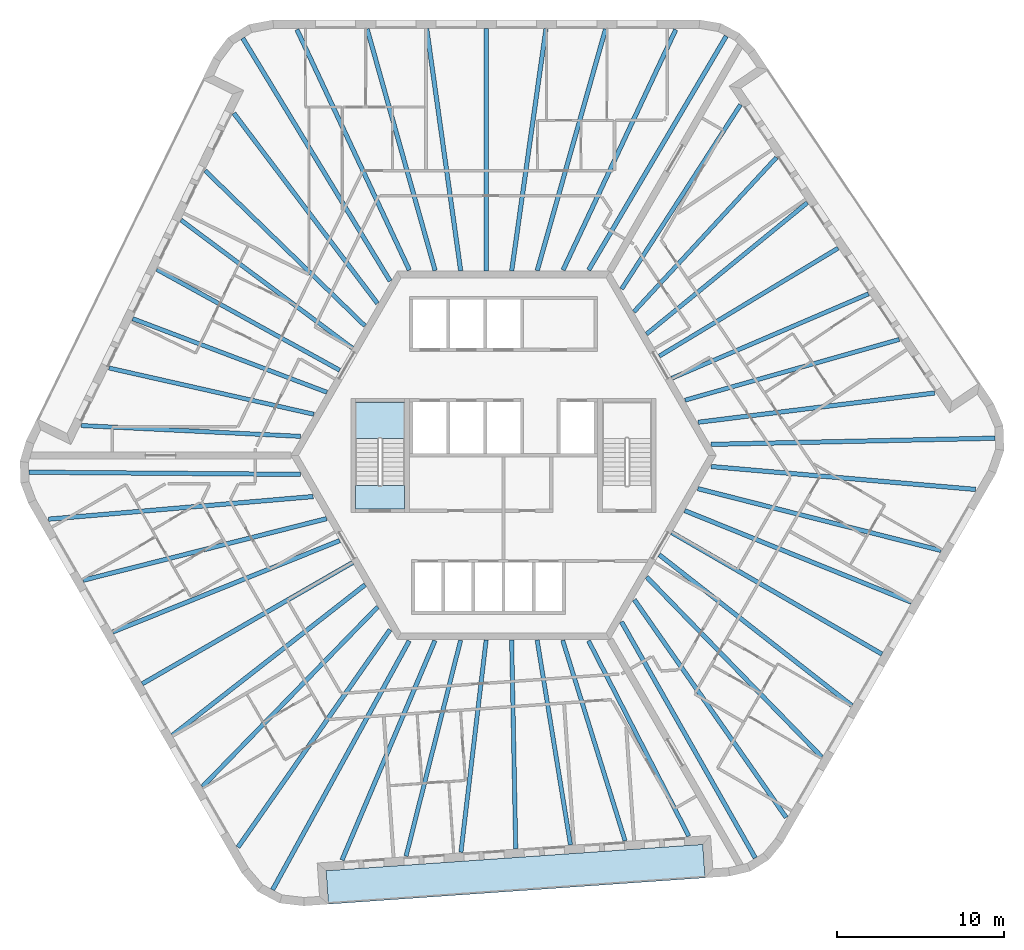
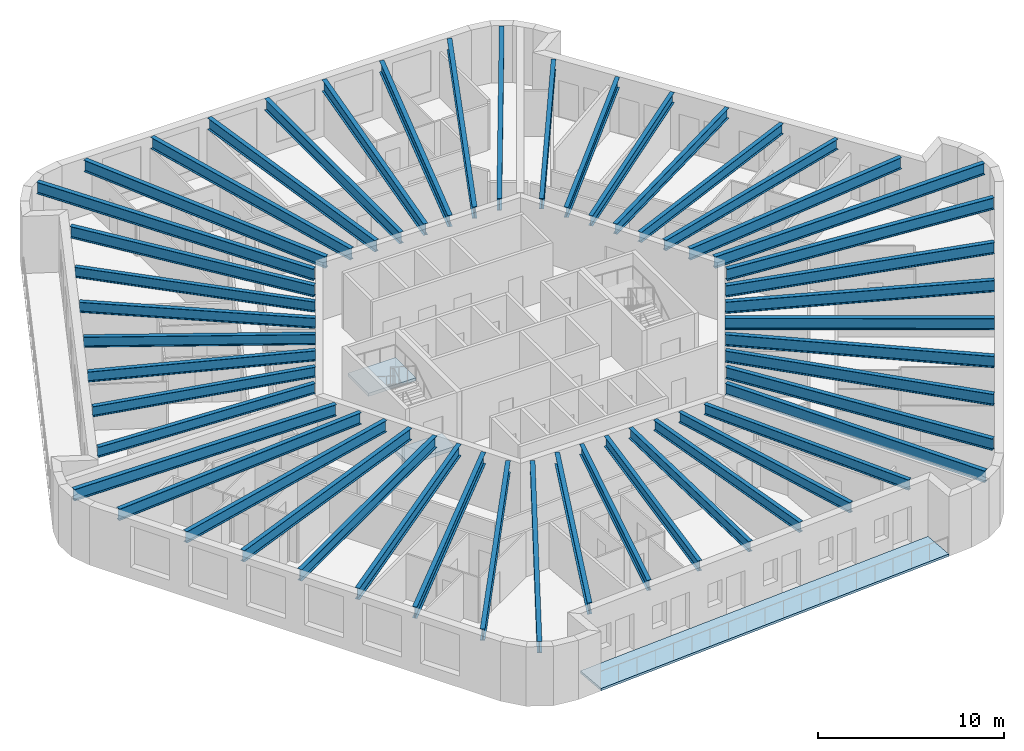
# One storey, part 1 of 12: 48 beams, 3 slabs, 1 element without a shape of its own.
"""IFC4 building model written with IfcOpenShell, lengths in metres."""

from ifc_helpers import new_model, si_unit, direction, frame, origin, origin_2d, place, context, subcontext, project, spatial, polyline, i_section, outline, extrude, material, layer, layer_set, material_profile, profile_set, type_object, element, aggregate, save


model = new_model("IFC4")

# Units and contexts
model_context = context("Model", 3, precision=1e-05, world=origin(), true_north=direction((0.0, 1.0)))
body_context = subcontext(model_context, "Body", "Model", "MODEL_VIEW")
ifc_project = project(units=[si_unit("LENGTHUNIT", "METRE"), si_unit("AREAUNIT", "SQUARE_METRE"), si_unit("VOLUMEUNIT", "CUBIC_METRE"), si_unit("PLANEANGLEUNIT", "RADIAN"), si_unit("MASSUNIT", "GRAM", prefix="KILO")], contexts=[model_context])

# Site, building, storey
site_placement = place(None, origin())
site = spatial("IfcSite", under=ifc_project, at=site_placement, CompositionType="ELEMENT")
building_placement = place(site_placement, origin())
building = spatial("IfcBuilding", under=site, at=building_placement, Name="Tarnside Tower", CompositionType="ELEMENT")
storey_placement = place(building_placement, frame((0.0, 0.0, 306.89990234375)))
storey = spatial("IfcBuildingStorey", under=building, at=storey_placement, Name="L74", CompositionType="ELEMENT", Elevation=306.89990234375)

# Beams
ifc_material_1 = material(Name="Steel S355", Category="steel")
ifc_material_profile_1 = material_profile(ifc_material_1, i_section(OverallWidth=0.2529296875, OverallDepth=0.677978515625, WebThickness=0.01171875, FlangeThickness=0.01611328125, FilletRadius=0.01513671875, at=origin_2d()), Name="UB 686x254x125")
ifc_profile_set_1 = profile_set([ifc_material_profile_1], Name="Steel S355")
beam_type_1 = type_object("IfcBeamType", Name="Floor beam UB 686x254x125", PredefinedType="BEAM", material=ifc_profile_set_1)
beam_1_placement = place(storey_placement, frame((-17.811279296875, 17.002197265625, 3.4111328125), z_axis=(0.717190986424, -0.696876666988, 0.0), x_axis=(0.696876666988, 0.717190986424, 0.0)))
element("IfcBeam", 1, at=beam_1_placement, inside=storey, type_object=beam_type_1, Name="Floor beam F2.02", PredefinedType="BEAM", context=body_context, shape_type="SweptSolid", body=[
    extrude(i_section(OverallWidth=0.2529296875, OverallDepth=0.677978515625, WebThickness=0.01171875, FlangeThickness=0.01611328125, FilletRadius=0.01513671875, at=origin_2d()), origin(), (0.0, 0.0, 1.0), 13.2919921875),
])
beam_2_placement = place(storey_placement, frame((-19.25, 14.0498046875, 3.4111328125), z_axis=(0.801006417676, -0.598655759883, 0.0), x_axis=(0.598655759883, 0.801006417676, 0.0)))
element("IfcBeam", 2, at=beam_2_placement, inside=storey, type_object=beam_type_1, Name="Floor beam F2.03", PredefinedType="BEAM", context=body_context, shape_type="SweptSolid", body=[
    extrude(i_section(OverallWidth=0.2529296875, OverallDepth=0.677978515625, WebThickness=0.01171875, FlangeThickness=0.01611328125, FilletRadius=0.01513671875, at=origin_2d()), origin(), (0.0, 0.0, 1.0), 12.764892578125),
])
beam_3_placement = place(storey_placement, frame((-20.70458984375, 11.111572265625, 3.4111328125), z_axis=(0.875666768762, -0.482915841619, 0.0), x_axis=(0.482915841619, 0.875666768762, 0.0)))
element("IfcBeam", 3, at=beam_3_placement, inside=storey, type_object=beam_type_1, Name="Floor beam F2.04", PredefinedType="BEAM", context=body_context, shape_type="SweptSolid", body=[
    extrude(i_section(OverallWidth=0.2529296875, OverallDepth=0.677978515625, WebThickness=0.01171875, FlangeThickness=0.01611328125, FilletRadius=0.01513671875, at=origin_2d()), origin(), (0.0, 0.0, 1.0), 12.468994140625),
])
beam_4_placement = place(storey_placement, frame((-22.141357421875, 8.165771484375, 3.4111328125), z_axis=(0.935116350489, -0.354340811998, 0.0), x_axis=(0.354340811998, 0.935116350489, 0.0)))
element("IfcBeam", 4, at=beam_4_placement, inside=storey, type_object=beam_type_1, Name="Floor beam F2.05", PredefinedType="BEAM", context=body_context, shape_type="SweptSolid", body=[
    extrude(i_section(OverallWidth=0.2529296875, OverallDepth=0.677978515625, WebThickness=0.01171875, FlangeThickness=0.01611328125, FilletRadius=0.01513671875, at=origin_2d()), origin(), (0.0, 0.0, 1.0), 12.399169921875),
])
beam_5_placement = place(storey_placement, frame((-23.556884765625, 5.2197265625, 3.4111328125), z_axis=(0.975445185376, -0.220242344534, 0.0), x_axis=(0.220242344534, 0.975445185376, 0.0)))
element("IfcBeam", 5, at=beam_5_placement, inside=storey, type_object=beam_type_1, Name="Floor beam F2.06", PredefinedType="BEAM", context=body_context, shape_type="SweptSolid", body=[
    extrude(i_section(OverallWidth=0.2529296875, OverallDepth=0.677978515625, WebThickness=0.01171875, FlangeThickness=0.01611328125, FilletRadius=0.01513671875, at=origin_2d()), origin(), (0.0, 0.0, 1.0), 12.538330078125),
])
beam_6_placement = place(storey_placement, frame((-25.214599609375, 1.7841796875, 3.4111328125), z_axis=(0.998783137237, -0.049317793651, 0.0), x_axis=(0.049317793651, 0.998783137237, 0.0)))
element("IfcBeam", 6, at=beam_6_placement, inside=storey, type_object=beam_type_1, Name="Floor beam F2.07", PredefinedType="BEAM", context=body_context, shape_type="SweptSolid", body=[
    extrude(i_section(OverallWidth=0.2529296875, OverallDepth=0.677978515625, WebThickness=0.01171875, FlangeThickness=0.01611328125, FilletRadius=0.01513671875, at=origin_2d()), origin(), (0.0, 0.0, 1.0), 13.103515625),
])
beam_7_placement = place(storey_placement, frame((-5.818603515625, -23.92626953125, 3.4111328125), z_axis=(0.244907502604, 0.969546448175, 0.0), x_axis=(-0.969546448175, 0.244907502604, 0.0)))
element("IfcBeam", 7, at=beam_7_placement, inside=storey, type_object=beam_type_1, Name="Floor beam F4.02", PredefinedType="BEAM", context=body_context, shape_type="SweptSolid", body=[
    extrude(i_section(OverallWidth=0.2529296875, OverallDepth=0.677978515625, WebThickness=0.01171875, FlangeThickness=0.01611328125, FilletRadius=0.01513671875, at=origin_2d()), origin(), (0.0, 0.0, 1.0), 13.292236328125),
])
beam_8_placement = place(storey_placement, frame((-2.54248046875, -23.69580078125, 3.4111328125), z_axis=(0.117949762105, 0.993019563563, 0.0), x_axis=(-0.993019563563, 0.117949762105, 0.0)))
element("IfcBeam", 8, at=beam_8_placement, inside=storey, type_object=beam_type_1, Name="Floor beam F4.03", PredefinedType="BEAM", context=body_context, shape_type="SweptSolid", body=[
    extrude(i_section(OverallWidth=0.2529296875, OverallDepth=0.677978515625, WebThickness=0.01171875, FlangeThickness=0.01611328125, FilletRadius=0.01513671875, at=origin_2d()), origin(), (0.0, 0.0, 1.0), 12.764892578125),
])
beam_9_placement = place(storey_placement, frame((0.7294921875, -23.486328125, 3.4111328125), z_axis=(-0.019619426101, 0.999807520536, 0.0), x_axis=(-0.999807520536, -0.019619426101, 0.0)))
element("IfcBeam", 9, at=beam_9_placement, inside=storey, type_object=beam_type_1, Name="Floor beam F4.04", PredefinedType="BEAM", context=body_context, shape_type="SweptSolid", body=[
    extrude(i_section(OverallWidth=0.2529296875, OverallDepth=0.677978515625, WebThickness=0.01171875, FlangeThickness=0.01611328125, FilletRadius=0.01513671875, at=origin_2d()), origin(), (0.0, 0.0, 1.0), 12.46875),
])
beam_10_placement = place(storey_placement, frame((3.9990234375, -23.2578125, 3.4111328125), z_axis=(-0.160690769029, 0.987004800773, 0.0), x_axis=(-0.987004800773, -0.160690769029, 0.0)))
element("IfcBeam", 10, at=beam_10_placement, inside=storey, type_object=beam_type_1, Name="Floor beam F4.05", PredefinedType="BEAM", context=body_context, shape_type="SweptSolid", body=[
    extrude(i_section(OverallWidth=0.2529296875, OverallDepth=0.677978515625, WebThickness=0.01171875, FlangeThickness=0.01611328125, FilletRadius=0.01513671875, at=origin_2d()), origin(), (0.0, 0.0, 1.0), 12.399169921875),
])
beam_11_placement = place(storey_placement, frame((7.258056640625, -23.0107421875, 3.4111328125), z_axis=(-0.296997512057, 0.954878252885, 0.0), x_axis=(-0.954878252885, -0.296997512057, 0.0)))
element("IfcBeam", 11, at=beam_11_placement, inside=storey, type_object=beam_type_1, Name="Floor beam F4.06", PredefinedType="BEAM", context=body_context, shape_type="SweptSolid", body=[
    extrude(i_section(OverallWidth=0.2529296875, OverallDepth=0.677978515625, WebThickness=0.01171875, FlangeThickness=0.01611328125, FilletRadius=0.01513671875, at=origin_2d()), origin(), (0.0, 0.0, 1.0), 12.538330078125),
])
beam_12_placement = place(storey_placement, frame((11.06201171875, -22.728515625, 3.4111328125), z_axis=(-0.456683143477, 0.889629420862, 0.0), x_axis=(-0.889629420862, -0.456683143477, 0.0)))
element("IfcBeam", 12, at=beam_12_placement, inside=storey, type_object=beam_type_1, Name="Floor beam F4.07", PredefinedType="BEAM", context=body_context, shape_type="SweptSolid", body=[
    extrude(i_section(OverallWidth=0.2529296875, OverallDepth=0.677978515625, WebThickness=0.01171875, FlangeThickness=0.01611328125, FilletRadius=0.01513671875, at=origin_2d()), origin(), (0.0, 0.0, 1.0), 13.103515625),
])
beam_13_placement = place(storey_placement, frame((23.6298828125, 6.924072265625, 3.4111328125), z_axis=(-0.962104001021, -0.272682766636, 0.0), x_axis=(0.272682766636, -0.962104001021, 0.0)))
element("IfcBeam", 13, at=beam_13_placement, inside=storey, type_object=beam_type_1, Name="Floor beam F6.02", PredefinedType="BEAM", context=body_context, shape_type="SweptSolid", body=[
    extrude(i_section(OverallWidth=0.2529296875, OverallDepth=0.677978515625, WebThickness=0.01171875, FlangeThickness=0.01611328125, FilletRadius=0.01513671875, at=origin_2d()), origin(), (0.0, 0.0, 1.0), 13.2919921875),
])
beam_14_placement = place(storey_placement, frame((21.792236328125, 9.64599609375, 3.4111328125), z_axis=(-0.918954980534, -0.394362452258, 0.0), x_axis=(0.394362452258, -0.918954980534, 0.0)))
element("IfcBeam", 14, at=beam_14_placement, inside=storey, type_object=beam_type_1, Name="Floor beam F6.03", PredefinedType="BEAM", context=body_context, shape_type="SweptSolid", body=[
    extrude(i_section(OverallWidth=0.2529296875, OverallDepth=0.677978515625, WebThickness=0.01171875, FlangeThickness=0.01611328125, FilletRadius=0.01513671875, at=origin_2d()), origin(), (0.0, 0.0, 1.0), 12.7646484375),
])
beam_15_placement = place(storey_placement, frame((19.97509765625, 12.375, 3.4111328125), z_axis=(-0.856046953876, -0.516898068055, 0.0), x_axis=(0.516898068055, -0.856046953876, 0.0)))
element("IfcBeam", 15, at=beam_15_placement, inside=storey, type_object=beam_type_1, Name="Floor beam F6.04", PredefinedType="BEAM", context=body_context, shape_type="SweptSolid", body=[
    extrude(i_section(OverallWidth=0.2529296875, OverallDepth=0.677978515625, WebThickness=0.01171875, FlangeThickness=0.01611328125, FilletRadius=0.01513671875, at=origin_2d()), origin(), (0.0, 0.0, 1.0), 12.46875),
])
beam_16_placement = place(storey_placement, frame((18.142333984375, 15.092041015625, 3.4111328125), z_axis=(-0.774438707576, -0.632648945473, 0.0), x_axis=(0.632648945473, -0.774438707576, 0.0)))
element("IfcBeam", 16, at=beam_16_placement, inside=storey, type_object=beam_type_1, Name="Floor beam F6.05", PredefinedType="BEAM", context=body_context, shape_type="SweptSolid", body=[
    extrude(i_section(OverallWidth=0.2529296875, OverallDepth=0.677978515625, WebThickness=0.01171875, FlangeThickness=0.01611328125, FilletRadius=0.01513671875, at=origin_2d()), origin(), (0.0, 0.0, 1.0), 12.39892578125),
])
beam_17_placement = place(storey_placement, frame((16.299072265625, 17.791015625, 3.4111328125), z_axis=(-0.67846123451, -0.734636204708, 0.0), x_axis=(0.734636204708, -0.67846123451, 0.0)))
element("IfcBeam", 17, at=beam_17_placement, inside=storey, type_object=beam_type_1, Name="Floor beam F6.06", PredefinedType="BEAM", context=body_context, shape_type="SweptSolid", body=[
    extrude(i_section(OverallWidth=0.2529296875, OverallDepth=0.677978515625, WebThickness=0.01171875, FlangeThickness=0.01611328125, FilletRadius=0.01513671875, at=origin_2d()), origin(), (0.0, 0.0, 1.0), 12.538330078125),
])
beam_18_placement = place(storey_placement, frame((14.152587890625, 20.9443359375, 3.4111328125), z_axis=(-0.54209970956, -0.840314170352, 0.0), x_axis=(0.840314170352, -0.54209970956, 0.0)))
element("IfcBeam", 18, at=beam_18_placement, inside=storey, type_object=beam_type_1, Name="Floor beam F6.07", PredefinedType="BEAM", context=body_context, shape_type="SweptSolid", body=[
    extrude(i_section(OverallWidth=0.2529296875, OverallDepth=0.677978515625, WebThickness=0.01171875, FlangeThickness=0.01611328125, FilletRadius=0.01513671875, at=origin_2d()), origin(), (0.0, 0.0, 1.0), 13.103759765625),
])
ifc_material_profile_2 = material_profile(ifc_material_1, i_section(OverallWidth=0.26513671875, OverallDepth=0.75390625, WebThickness=0.0126953125, FlangeThickness=0.017578125, FilletRadius=0.0166015625, at=origin_2d()), Name="UB 762x267x147")
ifc_profile_set_2 = profile_set([ifc_material_profile_2], Name="Steel S355")
beam_type_2 = type_object("IfcBeamType", Name="Floor beam UB 762x267x147", PredefinedType="BEAM", material=ifc_profile_set_2)
beam_19_placement = place(storey_placement, frame((6.093505859375, 25.46142578125, 3.373046875), z_axis=(-0.272147186115, -0.962255636039, 0.0), x_axis=(0.962255636039, -0.272147186115, 0.0)))
element("IfcBeam", 19, at=beam_19_placement, inside=storey, type_object=beam_type_2, Name="Floor beam F1.02", PredefinedType="BEAM", context=body_context, shape_type="SweptSolid", body=[
    extrude(i_section(OverallWidth=0.26513671875, OverallDepth=0.75390625, WebThickness=0.0126953125, FlangeThickness=0.017578125, FilletRadius=0.0166015625, at=origin_2d()), origin(), (0.0, 0.0, 1.0), 14.988525390625),
])
beam_20_placement = place(storey_placement, frame((2.537109375, 25.480224609375, 3.373046875), z_axis=(-0.140349428967, -0.990102034029, 0.0), x_axis=(0.990102034029, -0.140349428967, 0.0)))
element("IfcBeam", 20, at=beam_20_placement, inside=storey, type_object=beam_type_2, Name="Floor beam F1.03", PredefinedType="BEAM", context=body_context, shape_type="SweptSolid", body=[
    extrude(i_section(OverallWidth=0.26513671875, OverallDepth=0.75390625, WebThickness=0.0126953125, FlangeThickness=0.017578125, FilletRadius=0.0166015625, at=origin_2d()), origin(), (0.0, 0.0, 1.0), 14.60498046875),
])
beam_21_placement = place(storey_placement, frame((-1.02490234375, 25.5, 3.373046875), z_axis=(-0.000656653953, -0.999999784403, 0.0), x_axis=(0.999999784403, -0.000656653953, 0.0)))
element("IfcBeam", 21, at=beam_21_placement, inside=storey, type_object=beam_type_2, Name="Floor beam F1.04", PredefinedType="BEAM", context=body_context, shape_type="SweptSolid", body=[
    extrude(i_section(OverallWidth=0.26513671875, OverallDepth=0.75390625, WebThickness=0.0126953125, FlangeThickness=0.017578125, FilletRadius=0.0166015625, at=origin_2d()), origin(), (0.0, 0.0, 1.0), 14.5),
])
beam_22_placement = place(storey_placement, frame((-4.5869140625, 25.480224609375, 3.373046875), z_axis=(0.139070897001, -0.990282427193, 0.0), x_axis=(0.990282427193, 0.139070897001, 0.0)))
element("IfcBeam", 22, at=beam_22_placement, inside=storey, type_object=beam_type_2, Name="Floor beam F1.05", PredefinedType="BEAM", context=body_context, shape_type="SweptSolid", body=[
    extrude(i_section(OverallWidth=0.26513671875, OverallDepth=0.75390625, WebThickness=0.0126953125, FlangeThickness=0.017578125, FilletRadius=0.0166015625, at=origin_2d()), origin(), (0.0, 0.0, 1.0), 14.602294921875),
])
beam_23_placement = place(storey_placement, frame((-8.1435546875, 25.46142578125, 3.373046875), z_axis=(0.270985274434, -0.962583493023, 0.0), x_axis=(0.962583493023, 0.270985274434, 0.0)))
element("IfcBeam", 23, at=beam_23_placement, inside=storey, type_object=beam_type_2, Name="Floor beam F1.06", PredefinedType="BEAM", context=body_context, shape_type="SweptSolid", body=[
    extrude(i_section(OverallWidth=0.26513671875, OverallDepth=0.75390625, WebThickness=0.0126953125, FlangeThickness=0.017578125, FilletRadius=0.0166015625, at=origin_2d()), origin(), (0.0, 0.0, 1.0), 14.9833984375),
])
beam_24_placement = place(storey_placement, frame((-16.101318359375, 20.43212890625, 3.373046875), z_axis=(0.602566097863, -0.798068980543, 0.0), x_axis=(0.798068980543, 0.602566097863, 0.0)))
element("IfcBeam", 24, at=beam_24_placement, inside=storey, type_object=beam_type_2, Name="Floor beam F2.01", PredefinedType="BEAM", context=body_context, shape_type="SweptSolid", body=[
    extrude(i_section(OverallWidth=0.26513671875, OverallDepth=0.75390625, WebThickness=0.0126953125, FlangeThickness=0.017578125, FilletRadius=0.0166015625, at=origin_2d()), origin(), (0.0, 0.0, 1.0), 14.231201171875),
])
beam_25_placement = place(storey_placement, frame((-25.09716796875, -7.45361328125, 3.373046875), z_axis=(0.969413823687, 0.245431942592, 0.0), x_axis=(-0.245431942592, 0.969413823687, 0.0)))
element("IfcBeam", 25, at=beam_25_placement, inside=storey, type_object=beam_type_2, Name="Floor beam F3.02", PredefinedType="BEAM", context=body_context, shape_type="SweptSolid", body=[
    extrude(i_section(OverallWidth=0.26513671875, OverallDepth=0.75390625, WebThickness=0.0126953125, FlangeThickness=0.017578125, FilletRadius=0.0166015625, at=origin_2d()), origin(), (0.0, 0.0, 1.0), 14.98876953125),
])
beam_26_placement = place(storey_placement, frame((-23.3349609375, -10.54296875, 3.373046875), z_axis=(0.927625766949, 0.373510958998, 0.0), x_axis=(-0.373510958998, 0.927625766949, 0.0)))
element("IfcBeam", 26, at=beam_26_placement, inside=storey, type_object=beam_type_2, Name="Floor beam F3.03", PredefinedType="BEAM", context=body_context, shape_type="SweptSolid", body=[
    extrude(i_section(OverallWidth=0.26513671875, OverallDepth=0.75390625, WebThickness=0.0126953125, FlangeThickness=0.017578125, FilletRadius=0.0166015625, at=origin_2d()), origin(), (0.0, 0.0, 1.0), 14.60498046875),
])
beam_27_placement = place(storey_placement, frame((-21.5712890625, -13.6376953125, 3.373046875), z_axis=(0.866357363831, 0.499424587036, 0.0), x_axis=(-0.499424587036, 0.866357363831, 0.0)))
element("IfcBeam", 27, at=beam_27_placement, inside=storey, type_object=beam_type_2, Name="Floor beam F3.04", PredefinedType="BEAM", context=body_context, shape_type="SweptSolid", body=[
    extrude(i_section(OverallWidth=0.26513671875, OverallDepth=0.75390625, WebThickness=0.0126953125, FlangeThickness=0.017578125, FilletRadius=0.0166015625, at=origin_2d()), origin(), (0.0, 0.0, 1.0), 14.5),
])
beam_28_placement = place(storey_placement, frame((-19.77294921875, -16.71240234375, 3.373046875), z_axis=(0.788074813552, 0.615579473541, 0.0), x_axis=(-0.615579473541, 0.788074813552, 0.0)))
element("IfcBeam", 28, at=beam_28_placement, inside=storey, type_object=beam_type_2, Name="Floor beam F3.05", PredefinedType="BEAM", context=body_context, shape_type="SweptSolid", body=[
    extrude(i_section(OverallWidth=0.26513671875, OverallDepth=0.75390625, WebThickness=0.0126953125, FlangeThickness=0.017578125, FilletRadius=0.0166015625, at=origin_2d()), origin(), (0.0, 0.0, 1.0), 14.60205078125),
])
beam_29_placement = place(storey_placement, frame((-17.978515625, -19.783203125, 3.373046875), z_axis=(0.698129580508, 0.71597143017, 0.0), x_axis=(-0.71597143017, 0.698129580508, 0.0)))
element("IfcBeam", 29, at=beam_29_placement, inside=storey, type_object=beam_type_2, Name="Floor beam F3.06", PredefinedType="BEAM", context=body_context, shape_type="SweptSolid", body=[
    extrude(i_section(OverallWidth=0.26513671875, OverallDepth=0.75390625, WebThickness=0.0126953125, FlangeThickness=0.017578125, FilletRadius=0.0166015625, at=origin_2d()), origin(), (0.0, 0.0, 1.0), 14.983642578125),
])
beam_30_placement = place(storey_placement, frame((-9.64404296875, -24.160400390625, 3.373046875), z_axis=(0.389873911801, 0.920868249478, 0.0), x_axis=(-0.920868249478, 0.389873911801, 0.0)))
element("IfcBeam", 30, at=beam_30_placement, inside=storey, type_object=beam_type_2, Name="Floor beam F4.01", PredefinedType="BEAM", context=body_context, shape_type="SweptSolid", body=[
    extrude(i_section(OverallWidth=0.26513671875, OverallDepth=0.75390625, WebThickness=0.0126953125, FlangeThickness=0.017578125, FilletRadius=0.0166015625, at=origin_2d()), origin(), (0.0, 0.0, 1.0), 14.231201171875),
])
beam_31_placement = place(storey_placement, frame((19.00341796875, -18.008056640625, 3.373046875), z_axis=(-0.697249797022, 0.716828236437, 0.0), x_axis=(-0.716828236437, -0.697249797022, 0.0)))
element("IfcBeam", 31, at=beam_31_placement, inside=storey, type_object=beam_type_2, Name="Floor beam F5.02", PredefinedType="BEAM", context=body_context, shape_type="SweptSolid", body=[
    extrude(i_section(OverallWidth=0.26513671875, OverallDepth=0.75390625, WebThickness=0.0126953125, FlangeThickness=0.017578125, FilletRadius=0.0166015625, at=origin_2d()), origin(), (0.0, 0.0, 1.0), 14.98876953125),
])
beam_32_placement = place(storey_placement, frame((20.798095703125, -14.937255859375, 3.373046875), z_axis=(-0.787282014804, 0.616593082321, 0.0), x_axis=(-0.616593082321, -0.787282014804, 0.0)))
element("IfcBeam", 32, at=beam_32_placement, inside=storey, type_object=beam_type_2, Name="Floor beam F5.03", PredefinedType="BEAM", context=body_context, shape_type="SweptSolid", body=[
    extrude(i_section(OverallWidth=0.26513671875, OverallDepth=0.75390625, WebThickness=0.0126953125, FlangeThickness=0.017578125, FilletRadius=0.0166015625, at=origin_2d()), origin(), (0.0, 0.0, 1.0), 14.60498046875),
])
beam_33_placement = place(storey_placement, frame((22.59619140625, -11.8623046875, 3.373046875), z_axis=(-0.865697438889, 0.500567622106, 0.0), x_axis=(-0.500567622106, -0.865697438889, 0.0)))
element("IfcBeam", 33, at=beam_33_placement, inside=storey, type_object=beam_type_2, Name="Floor beam F5.04", PredefinedType="BEAM", context=body_context, shape_type="SweptSolid", body=[
    extrude(i_section(OverallWidth=0.26513671875, OverallDepth=0.75390625, WebThickness=0.0126953125, FlangeThickness=0.017578125, FilletRadius=0.0166015625, at=origin_2d()), origin(), (0.0, 0.0, 1.0), 14.500244140625),
])
beam_34_placement = place(storey_placement, frame((24.35986328125, -8.767578125, 3.373046875), z_axis=(-0.927145907531, 0.374700501933, 0.0), x_axis=(-0.374700501933, -0.927145907531, 0.0)))
element("IfcBeam", 34, at=beam_34_placement, inside=storey, type_object=beam_type_2, Name="Floor beam F5.05", PredefinedType="BEAM", context=body_context, shape_type="SweptSolid", body=[
    extrude(i_section(OverallWidth=0.26513671875, OverallDepth=0.75390625, WebThickness=0.0126953125, FlangeThickness=0.017578125, FilletRadius=0.0166015625, at=origin_2d()), origin(), (0.0, 0.0, 1.0), 14.60205078125),
])
beam_35_placement = place(storey_placement, frame((26.1220703125, -5.67822265625, 3.373046875), z_axis=(-0.969115089144, 0.246608888716, 0.0), x_axis=(-0.246608888716, -0.969115089144, 0.0)))
element("IfcBeam", 35, at=beam_35_placement, inside=storey, type_object=beam_type_2, Name="Floor beam F5.06", PredefinedType="BEAM", context=body_context, shape_type="SweptSolid", body=[
    extrude(i_section(OverallWidth=0.26513671875, OverallDepth=0.75390625, WebThickness=0.0126953125, FlangeThickness=0.017578125, FilletRadius=0.0166015625, at=origin_2d()), origin(), (0.0, 0.0, 1.0), 14.9833984375),
])
beam_36_placement = place(storey_placement, frame((25.745361328125, 3.72802734375, 3.373046875), z_axis=(-0.992433598491, -0.122782541866, 0.0), x_axis=(0.122782541866, -0.992433598491, 0.0)))
element("IfcBeam", 36, at=beam_36_placement, inside=storey, type_object=beam_type_2, Name="Floor beam F6.01", PredefinedType="BEAM", context=body_context, shape_type="SweptSolid", body=[
    extrude(i_section(OverallWidth=0.26513671875, OverallDepth=0.75390625, WebThickness=0.0126953125, FlangeThickness=0.017578125, FilletRadius=0.0166015625, at=origin_2d()), origin(), (0.0, 0.0, 1.0), 14.23095703125),
])
ifc_material_profile_3 = material_profile(ifc_material_1, i_section(OverallWidth=0.2666015625, OverallDepth=0.76220703125, WebThickness=0.014404296875, FlangeThickness=0.021484375, FilletRadius=0.0166015625, at=origin_2d()), Name="UB 762x267x173")
ifc_profile_set_3 = profile_set([ifc_material_profile_3], Name="Steel S355")
beam_type_3 = type_object("IfcBeamType", Name="Floor beam UB 762x267x173", PredefinedType="BEAM", material=ifc_profile_set_3)
beam_37_placement = place(storey_placement, frame((10.285400390625, 25.427490234375, 3.368896484375), z_axis=(-0.424439399801, -0.905456346765, 0.0), x_axis=(0.905456346765, -0.424439399801, 0.0)))
element("IfcBeam", 37, at=beam_37_placement, inside=storey, type_object=beam_type_3, Name="Floor beam F1.01", PredefinedType="BEAM", context=body_context, shape_type="SweptSolid", body=[
    extrude(i_section(OverallWidth=0.2666015625, OverallDepth=0.76220703125, WebThickness=0.014404296875, FlangeThickness=0.021484375, FilletRadius=0.0166015625, at=origin_2d()), origin(), (0.0, 0.0, 1.0), 15.853759765625),
])
beam_38_placement = place(storey_placement, frame((-12.335205078125, 25.427490234375, 3.368896484375), z_axis=(0.423453877267, -0.905917663934, 0.0), x_axis=(0.905917663934, 0.423453877267, 0.0)))
element("IfcBeam", 38, at=beam_38_placement, inside=storey, type_object=beam_type_3, Name="Floor beam F1.07", PredefinedType="BEAM", context=body_context, shape_type="SweptSolid", body=[
    extrude(i_section(OverallWidth=0.2666015625, OverallDepth=0.76220703125, WebThickness=0.014404296875, FlangeThickness=0.021484375, FilletRadius=0.0166015625, at=origin_2d()), origin(), (0.0, 0.0, 1.0), 15.845703125),
])
beam_39_placement = place(storey_placement, frame((-15.5703125, 24.91162109375, 3.368896484375), z_axis=(0.518716683755, -0.854946198304, 0.0), x_axis=(0.854946198304, 0.518716683755, 0.0)))
element("IfcBeam", 39, at=beam_39_placement, inside=storey, type_object=beam_type_3, Name="Floor beam C1", PredefinedType="BEAM", context=body_context, shape_type="SweptSolid", body=[
    extrude(i_section(OverallWidth=0.2666015625, OverallDepth=0.76220703125, WebThickness=0.014404296875, FlangeThickness=0.021484375, FilletRadius=0.0166015625, at=origin_2d()), origin(), (0.0, 0.0, 1.0), 16.961181640625),
])
beam_40_placement = place(storey_placement, frame((-28.3291015625, -1.0009765625, 3.368896484375), z_axis=(0.999966651082, -0.008166806173, 0.0), x_axis=(0.008166806173, 0.999966651082, 0.0)))
element("IfcBeam", 40, at=beam_40_placement, inside=storey, type_object=beam_type_3, Name="Floor beam C2", PredefinedType="BEAM", context=body_context, shape_type="SweptSolid", body=[
    extrude(i_section(OverallWidth=0.2666015625, OverallDepth=0.76220703125, WebThickness=0.014404296875, FlangeThickness=0.021484375, FilletRadius=0.0166015625, at=origin_2d()), origin(), (0.0, 0.0, 1.0), 16.20263671875),
])
beam_41_placement = place(storey_placement, frame((-27.16357421875, -3.806396484375, 3.368896484375), z_axis=(0.996367434748, 0.085158293626, 0.0), x_axis=(-0.085158293626, 0.996367434748, 0.0)))
element("IfcBeam", 41, at=beam_41_placement, inside=storey, type_object=beam_type_3, Name="Floor beam F3.01", PredefinedType="BEAM", context=body_context, shape_type="SweptSolid", body=[
    extrude(i_section(OverallWidth=0.2666015625, OverallDepth=0.76220703125, WebThickness=0.014404296875, FlangeThickness=0.021484375, FilletRadius=0.0166015625, at=origin_2d()), origin(), (0.0, 0.0, 1.0), 15.85400390625),
])
beam_42_placement = place(storey_placement, frame((-15.853271484375, -23.396484375, 3.368896484375), z_axis=(0.572816933654, 0.819683329414, 0.0), x_axis=(-0.819683329414, 0.572816933654, 0.0)))
element("IfcBeam", 42, at=beam_42_placement, inside=storey, type_object=beam_type_3, Name="Floor beam F3.07", PredefinedType="BEAM", context=body_context, shape_type="SweptSolid", body=[
    extrude(i_section(OverallWidth=0.2666015625, OverallDepth=0.76220703125, WebThickness=0.014404296875, FlangeThickness=0.021484375, FilletRadius=0.0166015625, at=origin_2d()), origin(), (0.0, 0.0, 1.0), 15.84619140625),
])
beam_43_placement = place(storey_placement, frame((-13.788818359375, -25.93994140625, 3.368896484375), z_axis=(0.481036073107, 0.876700802081, 0.0), x_axis=(-0.876700802081, 0.481036073107, 0.0)))
element("IfcBeam", 43, at=beam_43_placement, inside=storey, type_object=beam_type_3, Name="Floor beam C3", PredefinedType="BEAM", context=body_context, shape_type="SweptSolid", body=[
    extrude(i_section(OverallWidth=0.2666015625, OverallDepth=0.76220703125, WebThickness=0.014404296875, FlangeThickness=0.021484375, FilletRadius=0.0166015625, at=origin_2d()), origin(), (0.0, 0.0, 1.0), 16.961181640625),
])
beam_44_placement = place(storey_placement, frame((15.031494140625, -24.033447265625, 3.368896484375), z_axis=(-0.49290801997, 0.870081423689, 0.0), x_axis=(-0.870081423689, -0.49290801997, 0.0)))
element("IfcBeam", 44, at=beam_44_placement, inside=storey, type_object=beam_type_3, Name="Floor beam C4", PredefinedType="BEAM", context=body_context, shape_type="SweptSolid", body=[
    extrude(i_section(OverallWidth=0.2666015625, OverallDepth=0.76220703125, WebThickness=0.014404296875, FlangeThickness=0.021484375, FilletRadius=0.0166015625, at=origin_2d()), origin(), (0.0, 0.0, 1.0), 16.202880859375),
])
beam_45_placement = place(storey_placement, frame((16.87841796875, -21.62109375, 3.368896484375), z_axis=(-0.571946235641, 0.82029110902, 0.0), x_axis=(-0.82029110902, -0.571946235641, 0.0)))
element("IfcBeam", 45, at=beam_45_placement, inside=storey, type_object=beam_type_3, Name="Floor beam F5.01", PredefinedType="BEAM", context=body_context, shape_type="SweptSolid", body=[
    extrude(i_section(OverallWidth=0.2666015625, OverallDepth=0.76220703125, WebThickness=0.014404296875, FlangeThickness=0.021484375, FilletRadius=0.0166015625, at=origin_2d()), origin(), (0.0, 0.0, 1.0), 15.85400390625),
])
beam_46_placement = place(storey_placement, frame((28.1884765625, -2.03125, 3.368896484375), z_axis=(-0.996273584651, 0.086249316098, 0.0), x_axis=(-0.086249316098, -0.996273584651, 0.0)))
element("IfcBeam", 46, at=beam_46_placement, inside=storey, type_object=beam_type_3, Name="Floor beam F5.07", PredefinedType="BEAM", context=body_context, shape_type="SweptSolid", body=[
    extrude(i_section(OverallWidth=0.2666015625, OverallDepth=0.76220703125, WebThickness=0.014404296875, FlangeThickness=0.021484375, FilletRadius=0.0166015625, at=origin_2d()), origin(), (0.0, 0.0, 1.0), 15.845947265625),
])
beam_47_placement = place(storey_placement, frame((29.359130859375, 1.028564453125, 3.368896484375), z_axis=(-0.999763142455, -0.02176370807, 0.0), x_axis=(0.02176370807, -0.999763142455, 0.0)))
element("IfcBeam", 47, at=beam_47_placement, inside=storey, type_object=beam_type_3, Name="Floor beam C5", PredefinedType="BEAM", context=body_context, shape_type="SweptSolid", body=[
    extrude(i_section(OverallWidth=0.2666015625, OverallDepth=0.76220703125, WebThickness=0.014404296875, FlangeThickness=0.021484375, FilletRadius=0.0166015625, at=origin_2d()), origin(), (0.0, 0.0, 1.0), 16.961181640625),
])
beam_48_placement = place(storey_placement, frame((13.2978515625, 25.0341796875, 3.368896484375), z_axis=(-0.507080048325, -0.861898964259, 0.0), x_axis=(0.861898964259, -0.507080048325, 0.0)))
element("IfcBeam", 48, at=beam_48_placement, inside=storey, type_object=beam_type_3, Name="Floor beam C6", PredefinedType="BEAM", context=body_context, shape_type="SweptSolid", body=[
    extrude(i_section(OverallWidth=0.2666015625, OverallDepth=0.76220703125, WebThickness=0.014404296875, FlangeThickness=0.021484375, FilletRadius=0.0166015625, at=origin_2d()), origin(), (0.0, 0.0, 1.0), 16.20263671875),
])

# Slabs
ifc_material_2 = material(Name="Concrete C40/50", Category="concrete")
ifc_layer_1 = layer(ifc_material_2, 0.25)
ifc_layer_set_1 = layer_set([ifc_layer_1], Name="Core slab C40/50")
slab_type_1 = type_object("IfcSlabType", Name="Core slab C40/50", PredefinedType="FLOOR", material=ifc_layer_set_1)
slab_1_placement = place(storey_placement, frame((0.0, 0.0, -0.25)))
element("IfcSlab", 49, at=slab_1_placement, inside=storey, type_object=slab_type_1, Name="L74 core floor slab 2", PredefinedType="FLOOR", context=body_context, shape_type="SweptSolid", body=[
    extrude(outline(polyline([(-8.85009765625, -3.199951171875), (-8.85009765625, -1.800048828125), (-5.89990234375, -1.800048828125), (-5.89990234375, -3.199951171875), (-8.85009765625, -3.199951171875)])), origin(), (0.0, 0.0, 1.0), 0.25),
])
ifc_material_3 = material(Name="Timber decking", Category="wood")
ifc_layer_2 = layer(ifc_material_3, 0.0400390625)
ifc_material_4 = material(Name="Concrete C60/75 precast", Category="concrete")
ifc_layer_3 = layer(ifc_material_4, 0.110107421875)
ifc_layer_set_2 = layer_set([ifc_layer_2, ifc_layer_3], Name="Loggia deck 150")
slab_type_2 = type_object("IfcSlabType", Name="Loggia deck 150", PredefinedType="FLOOR", material=ifc_layer_set_2)
slab_2_placement = place(storey_placement, frame((0.0, 0.0, -0.14990234375)))
element("IfcSlab", 50, at=slab_2_placement, inside=storey, type_object=slab_type_2, Name="Loggia deck L74 F4", PredefinedType="FLOOR", context=body_context, shape_type="SweptSolid", body=[
    extrude(outline(polyline([(-10.593017578125, -24.79931640625), (11.896728515625, -23.226806640625), (12.036376953125, -25.221923828125), (-10.45361328125, -26.79443359375), (-10.593017578125, -24.79931640625)])), origin(), (0.0, 0.0, 1.0), 0.14990234375),
])

# Stair, slab
stair_type = type_object("IfcStairType", Name="Exit stair 1400 clear", PredefinedType="HALF_TURN_STAIR", material=ifc_material_2)
stair_placement = place(storey_placement, origin())
stair = element("IfcStair", 51, at=stair_placement, inside=storey, type_object=stair_type, Name="L74 Exit stair 2", PredefinedType="HALF_TURN_STAIR")
ifc_layer_4 = layer(ifc_material_2, 0.199951171875)
ifc_layer_set_3 = layer_set([ifc_layer_4], Name="Stair landing 200 C40/50")
slab_type_3 = type_object("IfcSlabType", Name="Stair landing 200 C40/50", PredefinedType="LANDING", material=ifc_layer_set_3)
slab_3_placement = place(storey_placement, frame((0.0, 0.0, 1.75)))
slab_3 = element("IfcSlab", 52, at=slab_3_placement, type_object=slab_type_3, Name="ST2 landing 1", PredefinedType="LANDING", context=body_context, shape_type="SweptSolid", body=[
    extrude(outline(polyline([(-5.89990234375, 1.0), (-5.89990234375, 3.199951171875), (-8.85009765625, 3.199951171875), (-8.85009765625, 1.0), (-5.89990234375, 1.0)])), origin(), (0.0, 0.0, 1.0), 0.2001953125),
])
aggregate(stair, [slab_3])

save(model, "model.ifc")
